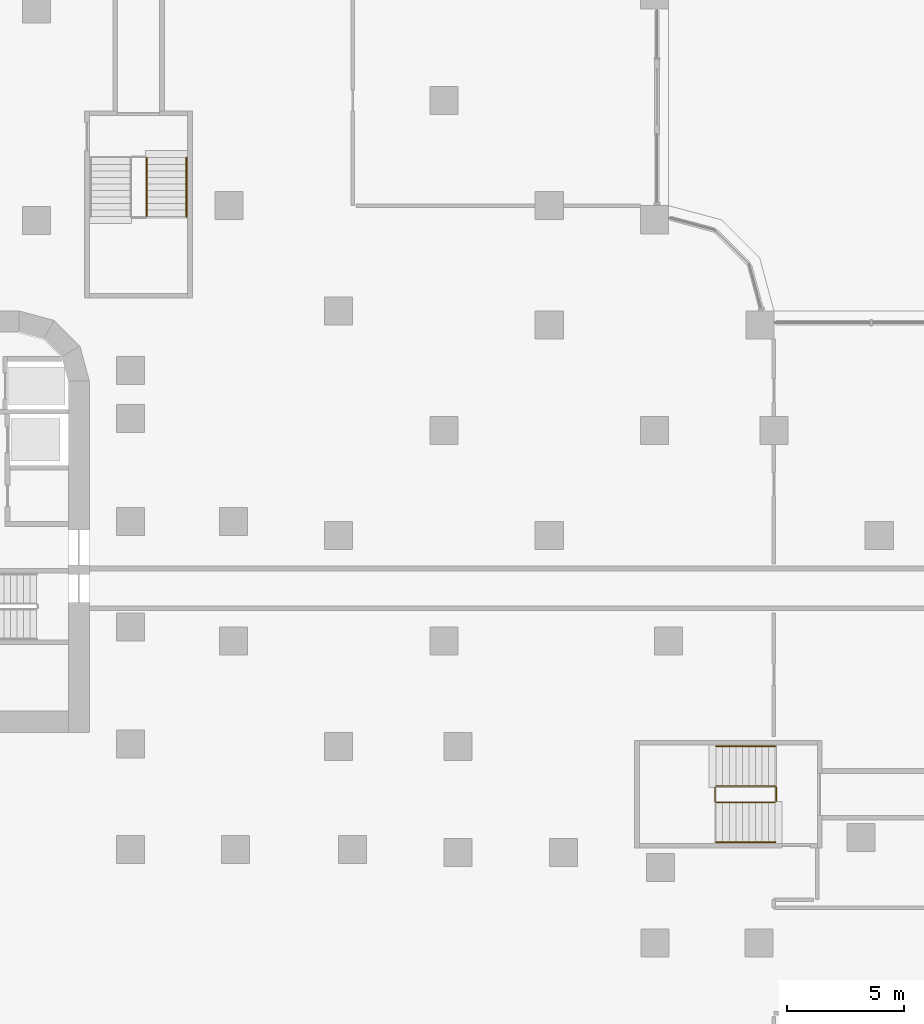
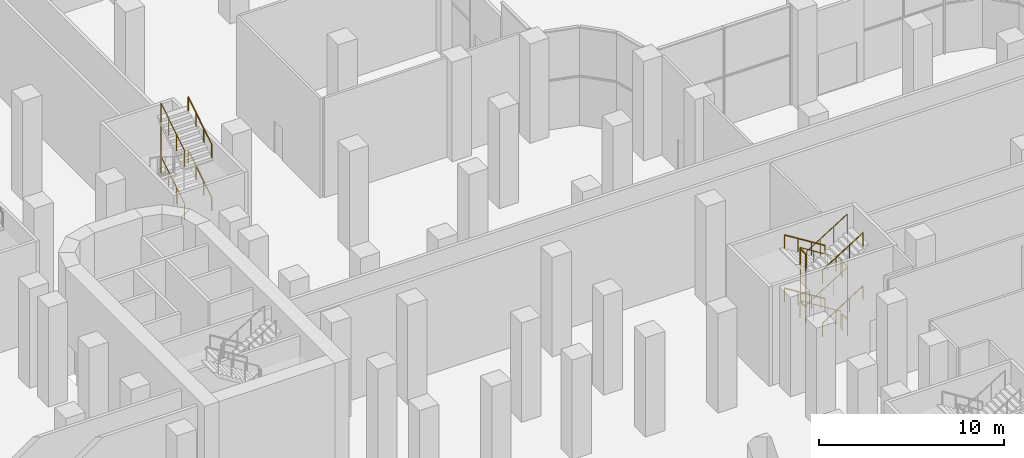
# One storey, part 33 of 34: 10 railings.
"""IFC4 building model written with IfcOpenShell, lengths in metres."""

from ifc_helpers import new_model, si_unit, direction, frame, origin, origin_2d, place, context, subcontext, project, spatial, circle, extrude, material, type_object, element, save


model = new_model("IFC4")

# Units and contexts
model_context = context("Model", 3, precision=1e-05, world=origin(), true_north=direction((0.0, 1.0)))
body_context = subcontext(model_context, "Body", "Model", "MODEL_VIEW")
ifc_project = project(units=[si_unit("LENGTHUNIT", "METRE"), si_unit("AREAUNIT", "SQUARE_METRE"), si_unit("VOLUMEUNIT", "CUBIC_METRE"), si_unit("PLANEANGLEUNIT", "RADIAN"), si_unit("MASSUNIT", "GRAM", prefix="KILO")], contexts=[model_context])

# Site, building, storey
site_placement = place(None, origin())
site = spatial("IfcSite", under=ifc_project, at=site_placement, CompositionType="ELEMENT")
building_placement = place(site_placement, origin())
building = spatial("IfcBuilding", under=site, at=building_placement, Name="Zarbagh Exchange Tower", CompositionType="ELEMENT")
storey_placement = place(building_placement, origin())
storey = spatial("IfcBuildingStorey", under=building, at=storey_placement, Name="L00", CompositionType="ELEMENT", Elevation=0.0)

# Railings
ifc_material = material(Name="Stainless steel", Category="steel")
railing_type_1 = type_object("IfcRailingType", Name="Stair guard 1100 mm", PredefinedType="GUARDRAIL", material=ifc_material)
railing_1_placement = place(storey_placement, frame((6.949951171875, 33.280029296875, 1.925048828125)))
element("IfcRailing", 1, at=railing_1_placement, inside=storey, type_object=railing_type_1, Name="PS2 stair guard 3", PredefinedType="GUARDRAIL", context=body_context, shape_type="SweptSolid", body=[
    extrude(circle(Radius=0.02392578125, at=origin_2d()), frame((0.0, 0.0, 1.076171875), z_axis=(0.0, 0.848007534815, 0.529984170421), x_axis=(-1.0, 0.0, 0.0)), (0.0, 0.0, 1.0), 2.9716796875),
    extrude(circle(Radius=0.02392578125, at=origin_2d()), frame((0.0, 2.52001953125, 2.65087890625), z_axis=(0.0, 0.0, 1.0), x_axis=(1.0, 0.0, 0.0)), (0.0, 0.0, 1.0), 3.5),
    extrude(circle(Radius=0.02392578125, at=origin_2d()), frame((0.0, 2.52001953125, 6.15087890625), z_axis=(0.0, -0.848007534815, -0.529984170421), x_axis=(1.0, 0.0, 0.0)), (0.0, 0.0, 1.0), 2.9716796875),
    extrude(circle(Radius=0.02099609375, at=origin_2d()), origin(), (0.0, 0.0, 1.0), 1.052001953125),
    extrude(circle(Radius=0.02099609375, at=origin_2d()), frame((0.0, 0.840087890625, 0.52490234375)), (0.0, 0.0, 1.0), 1.052001953125),
    extrude(circle(Radius=0.02099609375, at=origin_2d()), frame((0.0, 1.679931640625, 1.050048828125)), (0.0, 0.0, 1.0), 1.052001953125),
    extrude(circle(Radius=0.02099609375, at=origin_2d()), frame((0.0, 2.52001953125, 1.574951171875)), (0.0, 0.0, 1.0), 1.052001953125),
    extrude(circle(Radius=0.02099609375, at=origin_2d()), frame((0.0, 2.52001953125, 2.74169921875)), (0.0, 0.0, 1.0), 1.052001953125),
    extrude(circle(Radius=0.02099609375, at=origin_2d()), frame((0.0, 2.52001953125, 3.908203125)), (0.0, 0.0, 1.0), 1.052001953125),
    extrude(circle(Radius=0.02099609375, at=origin_2d()), frame((0.0, 2.52001953125, 5.074951171875)), (0.0, 0.0, 1.0), 1.052001953125),
    extrude(circle(Radius=0.02099609375, at=origin_2d()), frame((0.0, 1.679931640625, 4.550048828125)), (0.0, 0.0, 1.0), 1.052001953125),
    extrude(circle(Radius=0.02099609375, at=origin_2d()), frame((0.0, 0.840087890625, 4.02490234375)), (0.0, 0.0, 1.0), 1.052001953125),
    extrude(circle(Radius=0.02099609375, at=origin_2d()), frame((0.0, 0.0, 3.5)), (0.0, 0.0, 1.0), 1.052001953125),
])
railing_2_placement = place(storey_placement, frame((33.800048828125, 8.949951171875, 0.175048828125)))
element("IfcRailing", 2, at=railing_2_placement, inside=storey, type_object=railing_type_1, Name="PS3 stair guard 1", PredefinedType="GUARDRAIL", context=body_context, shape_type="SweptSolid", body=[
    extrude(circle(Radius=0.02392578125, at=origin_2d()), frame((0.0, 0.0, 1.076171875), z_axis=(-0.848007534815, 0.0, 0.529984170421), x_axis=(0.0, -1.0, 0.0)), (0.0, 0.0, 1.0), 2.9716796875),
    extrude(circle(Radius=0.02392578125, at=origin_2d()), frame((-2.52001953125, 0.0, 2.65087890625), z_axis=(0.0, 0.0, 1.0), x_axis=(1.0, 0.0, 0.0)), (0.0, 0.0, 1.0), 3.5),
    extrude(circle(Radius=0.02392578125, at=origin_2d()), frame((-2.52001953125, 0.0, 6.15087890625), z_axis=(0.848007534815, 0.0, -0.529984170421), x_axis=(0.0, 1.0, 0.0)), (0.0, 0.0, 1.0), 2.9716796875),
    extrude(circle(Radius=0.02392578125, at=origin_2d()), frame((0.0, 0.0, 4.576171875), z_axis=(0.265065253269, -0.265065253269, -0.927081885822), x_axis=(0.707106781187, 0.707106781187, 0.0)), (0.0, 0.0, 1.0), 0.188720703125),
    extrude(circle(Radius=0.02392578125, at=origin_2d()), frame((0.050048828125, -0.050048828125, 4.40087890625), z_axis=(0.0, -1.0, 0.0), x_axis=(1.0, 0.0, 0.0)), (0.0, 0.0, 1.0), 0.599853515625),
    extrude(circle(Radius=0.02392578125, at=origin_2d()), frame((0.050048828125, -0.64990234375, 4.40087890625), z_axis=(0.0, 0.0, -1.0), x_axis=(1.0, 0.0, 0.0)), (0.0, 0.0, 1.0), 3.5),
    extrude(circle(Radius=0.02392578125, at=origin_2d()), frame((0.050048828125, -0.64990234375, 0.90087890625), z_axis=(0.0, 1.0, 0.0), x_axis=(-1.0, 0.0, 0.0)), (0.0, 0.0, 1.0), 0.599853515625),
    extrude(circle(Radius=0.02099609375, at=origin_2d()), origin(), (0.0, 0.0, 1.0), 1.052001953125),
    extrude(circle(Radius=0.02099609375, at=origin_2d()), frame((-0.840087890625, 0.0, 0.52490234375)), (0.0, 0.0, 1.0), 1.052001953125),
    extrude(circle(Radius=0.02099609375, at=origin_2d()), frame((-1.679931640625, 0.0, 1.050048828125)), (0.0, 0.0, 1.0), 1.052001953125),
    extrude(circle(Radius=0.02099609375, at=origin_2d()), frame((-2.52001953125, 0.0, 1.574951171875)), (0.0, 0.0, 1.0), 1.052001953125),
    extrude(circle(Radius=0.02099609375, at=origin_2d()), frame((-2.52001953125, 0.0, 2.74169921875)), (0.0, 0.0, 1.0), 1.052001953125),
    extrude(circle(Radius=0.02099609375, at=origin_2d()), frame((-2.52001953125, 0.0, 3.908203125)), (0.0, 0.0, 1.0), 1.052001953125),
    extrude(circle(Radius=0.02099609375, at=origin_2d()), frame((-2.52001953125, 0.0, 5.074951171875)), (0.0, 0.0, 1.0), 1.052001953125),
    extrude(circle(Radius=0.02099609375, at=origin_2d()), frame((-1.679931640625, 0.0, 4.550048828125)), (0.0, 0.0, 1.0), 1.052001953125),
    extrude(circle(Radius=0.02099609375, at=origin_2d()), frame((-0.840087890625, 0.0, 4.02490234375)), (0.0, 0.0, 1.0), 1.052001953125),
    extrude(circle(Radius=0.02099609375, at=origin_2d()), frame((0.0, 0.0, 3.5)), (0.0, 0.0, 1.0), 1.052001953125),
    extrude(circle(Radius=0.02099609375, at=origin_2d()), frame((0.050048828125, -0.050048828125, 3.324951171875)), (0.0, 0.0, 1.0), 1.052001953125),
    extrude(circle(Radius=0.02099609375, at=origin_2d()), frame((0.050048828125, -0.64990234375, 3.324951171875)), (0.0, 0.0, 1.0), 1.052001953125),
    extrude(circle(Radius=0.02099609375, at=origin_2d()), frame((0.050048828125, -0.64990234375, 2.158203125)), (0.0, 0.0, 1.0), 1.052001953125),
    extrude(circle(Radius=0.02099609375, at=origin_2d()), frame((0.050048828125, -0.64990234375, 0.99169921875)), (0.0, 0.0, 1.0), 1.052001953125),
    extrude(circle(Radius=0.02099609375, at=origin_2d()), frame((0.050048828125, -0.64990234375, -0.175048828125)), (0.0, 0.0, 1.0), 1.052001953125),
    extrude(circle(Radius=0.02099609375, at=origin_2d()), frame((0.050048828125, -0.050048828125, -0.175048828125)), (0.0, 0.0, 1.0), 1.052001953125),
])
railing_3_placement = place(storey_placement, frame((31.22998046875, 8.89990234375, 1.75)))
element("IfcRailing", 3, at=railing_3_placement, inside=storey, type_object=railing_type_1, Name="PS3 stair guard 2", PredefinedType="GUARDRAIL", context=body_context, shape_type="SweptSolid", body=[
    extrude(circle(Radius=0.02392578125, at=origin_2d()), frame((0.0, 0.0, 1.076171875), z_axis=(0.0, -1.0, 0.0), x_axis=(1.0, 0.0, 0.0)), (0.0, 0.0, 1.0), 0.599853515625),
    extrude(circle(Radius=0.02392578125, at=origin_2d()), frame((0.0, -0.599853515625, 1.076171875), z_axis=(0.0, 0.0, 1.0), x_axis=(1.0, 0.0, 0.0)), (0.0, 0.0, 1.0), 3.5),
    extrude(circle(Radius=0.02392578125, at=origin_2d()), frame((0.0, -0.599853515625, 4.576171875), z_axis=(0.0, 1.0, 0.0), x_axis=(-1.0, 0.0, 0.0)), (0.0, 0.0, 1.0), 0.599853515625),
    extrude(circle(Radius=0.02099609375, at=origin_2d()), origin(), (0.0, 0.0, 1.0), 1.052001953125),
    extrude(circle(Radius=0.02099609375, at=origin_2d()), frame((0.0, -0.599853515625, 0.0)), (0.0, 0.0, 1.0), 1.052001953125),
    extrude(circle(Radius=0.02099609375, at=origin_2d()), frame((0.0, -0.599853515625, 1.166748046875)), (0.0, 0.0, 1.0), 1.052001953125),
    extrude(circle(Radius=0.02099609375, at=origin_2d()), frame((0.0, -0.599853515625, 2.333251953125)), (0.0, 0.0, 1.0), 1.052001953125),
    extrude(circle(Radius=0.02099609375, at=origin_2d()), frame((0.0, -0.599853515625, 3.5)), (0.0, 0.0, 1.0), 1.052001953125),
    extrude(circle(Radius=0.02099609375, at=origin_2d()), frame((0.0, 0.0, 3.5)), (0.0, 0.0, 1.0), 1.052001953125),
])
railing_4_placement = place(storey_placement, frame((31.280029296875, 8.25, 1.925048828125)))
element("IfcRailing", 4, at=railing_4_placement, inside=storey, type_object=railing_type_1, Name="PS3 stair guard 3", PredefinedType="GUARDRAIL", context=body_context, shape_type="SweptSolid", body=[
    extrude(circle(Radius=0.02392578125, at=origin_2d()), frame((0.0, 0.0, 1.076171875), z_axis=(0.848007534815, 0.0, 0.529984170421), x_axis=(0.0, 1.0, 0.0)), (0.0, 0.0, 1.0), 2.9716796875),
    extrude(circle(Radius=0.02392578125, at=origin_2d()), frame((2.52001953125, 0.0, 2.65087890625), z_axis=(0.0, 0.0, 1.0), x_axis=(1.0, 0.0, 0.0)), (0.0, 0.0, 1.0), 3.5),
    extrude(circle(Radius=0.02392578125, at=origin_2d()), frame((2.52001953125, 0.0, 6.15087890625), z_axis=(-0.848007534815, 0.0, -0.529984170421), x_axis=(0.0, -1.0, 0.0)), (0.0, 0.0, 1.0), 2.9716796875),
    extrude(circle(Radius=0.02099609375, at=origin_2d()), origin(), (0.0, 0.0, 1.0), 1.052001953125),
    extrude(circle(Radius=0.02099609375, at=origin_2d()), frame((0.840087890625, 0.0, 0.52490234375)), (0.0, 0.0, 1.0), 1.052001953125),
    extrude(circle(Radius=0.02099609375, at=origin_2d()), frame((1.679931640625, 0.0, 1.050048828125)), (0.0, 0.0, 1.0), 1.052001953125),
    extrude(circle(Radius=0.02099609375, at=origin_2d()), frame((2.52001953125, 0.0, 1.574951171875)), (0.0, 0.0, 1.0), 1.052001953125),
    extrude(circle(Radius=0.02099609375, at=origin_2d()), frame((2.52001953125, 0.0, 2.74169921875)), (0.0, 0.0, 1.0), 1.052001953125),
    extrude(circle(Radius=0.02099609375, at=origin_2d()), frame((2.52001953125, 0.0, 3.908203125)), (0.0, 0.0, 1.0), 1.052001953125),
    extrude(circle(Radius=0.02099609375, at=origin_2d()), frame((2.52001953125, 0.0, 5.074951171875)), (0.0, 0.0, 1.0), 1.052001953125),
    extrude(circle(Radius=0.02099609375, at=origin_2d()), frame((1.679931640625, 0.0, 4.550048828125)), (0.0, 0.0, 1.0), 1.052001953125),
    extrude(circle(Radius=0.02099609375, at=origin_2d()), frame((0.840087890625, 0.0, 4.02490234375)), (0.0, 0.0, 1.0), 1.052001953125),
    extrude(circle(Radius=0.02099609375, at=origin_2d()), frame((0.0, 0.0, 3.5)), (0.0, 0.0, 1.0), 1.052001953125),
])
railing_type_2 = type_object("IfcRailingType", Name="Stair handrail 900 mm", PredefinedType="HANDRAIL", material=ifc_material)
for number, where, name in (
    (5, (8.64990234375, 33.280029296875, 1.925048828125), "PS2 stair handrail 2"),
    (6, (8.64990234375, 33.280029296875, 5.425048828125), "PS2 stair handrail 4"),
):
    element("IfcRailing", number, at=place(storey_placement, frame(where)), inside=storey, type_object=railing_type_2, Name=name, PredefinedType="HANDRAIL", context=body_context, shape_type="SweptSolid", body=[
        extrude(circle(Radius=0.02392578125, at=origin_2d()), frame((0.0, 0.0, 0.8759765625), z_axis=(0.0, 0.848007534815, 0.529984170421), x_axis=(-1.0, 0.0, 0.0)), (0.0, 0.0, 1.0), 2.9716796875),
        extrude(circle(Radius=0.02099609375, at=origin_2d()), origin(), (0.0, 0.0, 1.0), 0.851806640625),
        extrude(circle(Radius=0.02099609375, at=origin_2d()), frame((0.0, 0.840087890625, 0.52490234375)), (0.0, 0.0, 1.0), 0.851806640625),
        extrude(circle(Radius=0.02099609375, at=origin_2d()), frame((0.0, 1.679931640625, 1.050048828125)), (0.0, 0.0, 1.0), 0.851806640625),
        extrude(circle(Radius=0.02099609375, at=origin_2d()), frame((0.0, 2.52001953125, 1.574951171875)), (0.0, 0.0, 1.0), 0.851806640625),
    ])
railing_5_placement = place(storey_placement, frame((33.800048828125, 10.64990234375, 0.175048828125)))
element("IfcRailing", 7, at=railing_5_placement, inside=storey, type_object=railing_type_2, Name="PS3 stair handrail 1", PredefinedType="HANDRAIL", context=body_context, shape_type="SweptSolid", body=[
    extrude(circle(Radius=0.02392578125, at=origin_2d()), frame((0.0, 0.0, 0.8759765625), z_axis=(-0.848007534815, 0.0, 0.529984170421), x_axis=(0.0, -1.0, 0.0)), (0.0, 0.0, 1.0), 2.9716796875),
    extrude(circle(Radius=0.02099609375, at=origin_2d()), origin(), (0.0, 0.0, 1.0), 0.851806640625),
    extrude(circle(Radius=0.02099609375, at=origin_2d()), frame((-0.840087890625, 0.0, 0.52490234375)), (0.0, 0.0, 1.0), 0.851806640625),
    extrude(circle(Radius=0.02099609375, at=origin_2d()), frame((-1.679931640625, 0.0, 1.050048828125)), (0.0, 0.0, 1.0), 0.851806640625),
    extrude(circle(Radius=0.02099609375, at=origin_2d()), frame((-2.52001953125, 0.0, 1.574951171875)), (0.0, 0.0, 1.0), 0.851806640625),
])
railing_6_placement = place(storey_placement, frame((31.280029296875, 6.550048828125, 1.925048828125)))
element("IfcRailing", 8, at=railing_6_placement, inside=storey, type_object=railing_type_2, Name="PS3 stair handrail 2", PredefinedType="HANDRAIL", context=body_context, shape_type="SweptSolid", body=[
    extrude(circle(Radius=0.02392578125, at=origin_2d()), frame((0.0, 0.0, 0.8759765625), z_axis=(0.848007534815, 0.0, 0.529984170421), x_axis=(0.0, 1.0, 0.0)), (0.0, 0.0, 1.0), 2.9716796875),
    extrude(circle(Radius=0.02099609375, at=origin_2d()), origin(), (0.0, 0.0, 1.0), 0.851806640625),
    extrude(circle(Radius=0.02099609375, at=origin_2d()), frame((0.840087890625, 0.0, 0.52490234375)), (0.0, 0.0, 1.0), 0.851806640625),
    extrude(circle(Radius=0.02099609375, at=origin_2d()), frame((1.679931640625, 0.0, 1.050048828125)), (0.0, 0.0, 1.0), 0.851806640625),
    extrude(circle(Radius=0.02099609375, at=origin_2d()), frame((2.52001953125, 0.0, 1.574951171875)), (0.0, 0.0, 1.0), 0.851806640625),
])
railing_7_placement = place(storey_placement, frame((33.800048828125, 10.64990234375, 3.675048828125)))
element("IfcRailing", 9, at=railing_7_placement, inside=storey, type_object=railing_type_2, Name="PS3 stair handrail 3", PredefinedType="HANDRAIL", context=body_context, shape_type="SweptSolid", body=[
    extrude(circle(Radius=0.02392578125, at=origin_2d()), frame((0.0, 0.0, 0.8759765625), z_axis=(-0.848007534815, 0.0, 0.529984170421), x_axis=(0.0, -1.0, 0.0)), (0.0, 0.0, 1.0), 2.9716796875),
    extrude(circle(Radius=0.02099609375, at=origin_2d()), origin(), (0.0, 0.0, 1.0), 0.851806640625),
    extrude(circle(Radius=0.02099609375, at=origin_2d()), frame((-0.840087890625, 0.0, 0.52490234375)), (0.0, 0.0, 1.0), 0.851806640625),
    extrude(circle(Radius=0.02099609375, at=origin_2d()), frame((-1.679931640625, 0.0, 1.050048828125)), (0.0, 0.0, 1.0), 0.851806640625),
    extrude(circle(Radius=0.02099609375, at=origin_2d()), frame((-2.52001953125, 0.0, 1.574951171875)), (0.0, 0.0, 1.0), 0.851806640625),
])
railing_8_placement = place(storey_placement, frame((31.280029296875, 6.550048828125, 5.425048828125)))
element("IfcRailing", 10, at=railing_8_placement, inside=storey, type_object=railing_type_2, Name="PS3 stair handrail 4", PredefinedType="HANDRAIL", context=body_context, shape_type="SweptSolid", body=[
    extrude(circle(Radius=0.02392578125, at=origin_2d()), frame((0.0, 0.0, 0.8759765625), z_axis=(0.848007534815, 0.0, 0.529984170421), x_axis=(0.0, 1.0, 0.0)), (0.0, 0.0, 1.0), 2.9716796875),
    extrude(circle(Radius=0.02099609375, at=origin_2d()), origin(), (0.0, 0.0, 1.0), 0.851806640625),
    extrude(circle(Radius=0.02099609375, at=origin_2d()), frame((0.840087890625, 0.0, 0.52490234375)), (0.0, 0.0, 1.0), 0.851806640625),
    extrude(circle(Radius=0.02099609375, at=origin_2d()), frame((1.679931640625, 0.0, 1.050048828125)), (0.0, 0.0, 1.0), 0.851806640625),
    extrude(circle(Radius=0.02099609375, at=origin_2d()), frame((2.52001953125, 0.0, 1.574951171875)), (0.0, 0.0, 1.0), 0.851806640625),
])

save(model, "model.ifc")
